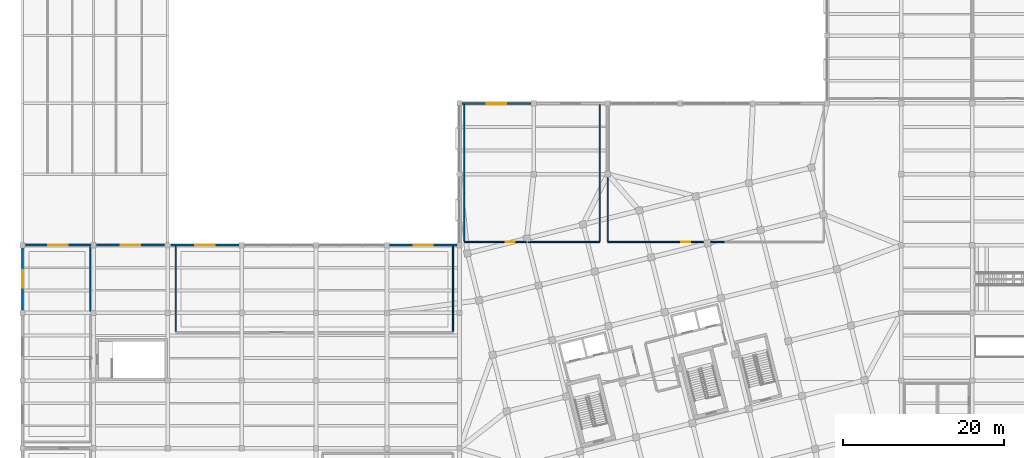
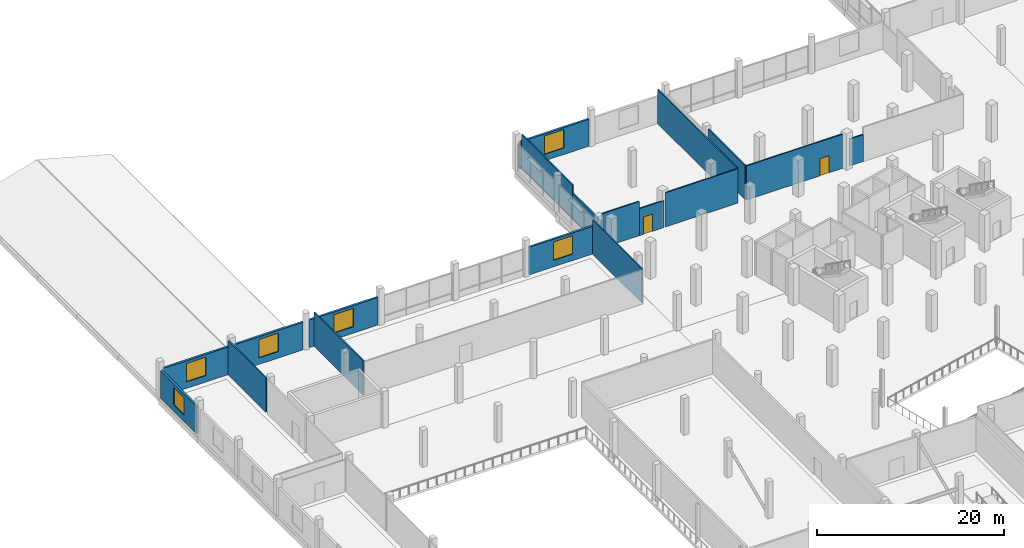
# One storey, part 60 of 71: 18 walls, 6 windows, 2 doors, 8 openings.
"""IFC4 building model written with IfcOpenShell, lengths in metres."""

from ifc_helpers import new_model, si_unit, direction, frame, frame_2d, origin, place, context, subcontext, project, spatial, rectangle, extrude, material, layer, layer_set, type_object, element, fill, save


model = new_model("IFC4")

# Units and contexts
model_context = context("Model", 3, precision=1e-05, world=origin(), true_north=direction((0.0, 1.0)))
body_context = subcontext(model_context, "Body", "Model", "MODEL_VIEW")
ifc_project = project(units=[si_unit("LENGTHUNIT", "METRE"), si_unit("AREAUNIT", "SQUARE_METRE"), si_unit("VOLUMEUNIT", "CUBIC_METRE"), si_unit("PLANEANGLEUNIT", "RADIAN"), si_unit("MASSUNIT", "GRAM", prefix="KILO")], contexts=[model_context])

# Site, building, storey
site_placement = place(None, origin())
site = spatial("IfcSite", under=ifc_project, at=site_placement, CompositionType="ELEMENT")
building_placement = place(site_placement, origin())
building = spatial("IfcBuilding", under=site, at=building_placement, Name="Meriwether Solvik Hall", CompositionType="ELEMENT")
storey_placement = place(building_placement, frame((0.0, 0.0, 5.10009765625)))
storey = spatial("IfcBuildingStorey", under=building, at=storey_placement, Name="L01", CompositionType="ELEMENT", Elevation=5.10009765625)

# Wall
ifc_material_1 = material(Name="Double-Layer Acoustic Gypsum Board", Category="gypsum")
ifc_layer_1 = layer(ifc_material_1, 0.1650390625)
ifc_layer_set_1 = layer_set([ifc_layer_1], Name="Double-Layer Acoustic Gypsum Board")
wall_type_1 = type_object("IfcWallType", Name="WALL-DEM-165", PredefinedType="PARTITIONING", material=ifc_layer_set_1)
wall_1_placement = place(storey_placement, frame((13.60009765625, 66.98046875, 0.0), z_axis=(0.0, 0.0, 1.0), x_axis=(0.0, 1.0, 0.0)))
element("IfcWall", 1, at=wall_1_placement, inside=storey, type_object=wall_type_1, Name="L01 Interior Partition music_adm_e_s3", PredefinedType="PARTITIONING", context=body_context, shape_type="SweptSolid", body=[
    extrude(rectangle(XDim=8.0390625, YDim=0.1650390625, at=frame_2d((4.01953125, 0.0))), origin(), (0.0, 0.0, 1.0), 4.469970703125),
])

# Wall, opening, window
ifc_material_2 = material(Name="Terracotta Cladding on Concrete C40/50", Category="masonry")
ifc_layer_2 = layer(ifc_material_2, 0.2548828125)
ifc_layer_set_2 = layer_set([ifc_layer_2], Name="Terracotta Cladding on Concrete C40/50")
wall_type_2 = type_object("IfcWallType", Name="WALL-EXT-255", PredefinedType="SOLIDWALL", material=ifc_layer_set_2)
wall_2_placement = place(storey_placement, frame((5.537109375, 75.199951171875, 0.0), z_axis=(0.0, 0.0, 1.0), x_axis=(1.0, 0.0, 0.0)))
wall_2 = element("IfcWall", 2, at=wall_2_placement, inside=storey, type_object=wall_type_2, Name="L01 N Wing Facade Wall XI_1_18", PredefinedType="SOLIDWALL", context=body_context, shape_type="SweptSolid", body=[
    extrude(rectangle(XDim=8.1259765625, YDim=0.2548828125, at=frame_2d((4.06298828125, 0.0))), origin(), (0.0, 0.0, 1.0), 3.60986328125),
])
opening_1_placement = place(wall_2_placement, frame((2.863037109375, 0.0, 0.85009765625)))
opening_1 = element("IfcOpeningElement", 3, at=opening_1_placement, cuts=wall_2, Name="Opening WN-105", PredefinedType="OPENING", context=body_context, shape_type="SweptSolid", body=[
    extrude(rectangle(XDim=2.39990234375, YDim=2.39990234375, at=frame_2d((1.199951171875, 1.199951171875))), frame((0.0, 0.139404296875, 0.0), z_axis=(0.0, -1.0, 0.0), x_axis=(1.0, 0.0, 0.0)), (0.0, 0.0, 1.0), 0.27880859375),
])
ifc_material_3 = material(Name="Thermally Broken Anodised Aluminium and Triple Low-E Glass", Category="aluminium")
window_type_1 = type_object("IfcWindowType", Name="WIN-POD-NORTH-240X240", PartitioningType="SINGLE_PANEL", PredefinedType="WINDOW", material=ifc_material_3)
window_1_placement = place(opening_1_placement, origin())
window_1 = element("IfcWindow", 4, at=window_1_placement, inside=storey, type_object=window_type_1, Name="L01 N Window XI_1_18", OverallHeight=2.39990234375, OverallWidth=2.39990234375, PartitioningType="SINGLE_PANEL", PredefinedType="WINDOW", context=body_context, shape_type="SweptSolid", body=[
    extrude(rectangle(XDim=2.39990234375, YDim=2.39990234375, at=frame_2d((1.199951171875, 1.199951171875))), frame((0.0, 0.030029296875, 0.0), z_axis=(0.0, -1.0, 0.0), x_axis=(1.0, 0.0, 0.0)), (0.0, 0.0, 1.0), 0.06005859375),
])
fill(opening_1, window_1)

wall_3_placement = place(storey_placement, frame((14.3369140625, 75.199951171875, 0.0), z_axis=(0.0, 0.0, 1.0), x_axis=(1.0, 0.0, 0.0)))
wall_3 = element("IfcWall", 5, at=wall_3_placement, inside=storey, type_object=wall_type_2, Name="L01 N Wing Facade Wall XI_2_19", PredefinedType="SOLIDWALL", context=body_context, shape_type="SweptSolid", body=[
    extrude(rectangle(XDim=8.47607421875, YDim=0.2548828125, at=frame_2d((4.238037109375, 0.0))), origin(), (0.0, 0.0, 1.0), 3.60986328125),
])
opening_2_placement = place(wall_3_placement, frame((3.0380859375, 0.0, 0.85009765625)))
opening_2 = element("IfcOpeningElement", 6, at=opening_2_placement, cuts=wall_3, Name="Opening WN-105", PredefinedType="OPENING", context=body_context, shape_type="SweptSolid", body=[
    extrude(rectangle(XDim=2.39990234375, YDim=2.39990234375, at=frame_2d((1.199951171875, 1.199951171875))), frame((0.0, 0.139404296875, 0.0), z_axis=(0.0, -1.0, 0.0), x_axis=(1.0, 0.0, 0.0)), (0.0, 0.0, 1.0), 0.27880859375),
])
window_2_placement = place(opening_2_placement, origin())
window_2 = element("IfcWindow", 7, at=window_2_placement, inside=storey, type_object=window_type_1, Name="L01 N Window XI_2_19", OverallHeight=2.39990234375, OverallWidth=2.39990234375, PartitioningType="SINGLE_PANEL", PredefinedType="WINDOW", context=body_context, shape_type="SweptSolid", body=[
    extrude(rectangle(XDim=2.39990234375, YDim=2.39990234375, at=frame_2d((1.199951171875, 1.199951171875))), frame((0.0, 0.030029296875, 0.0), z_axis=(0.0, -1.0, 0.0), x_axis=(1.0, 0.0, 0.0)), (0.0, 0.0, 1.0), 0.06005859375),
])
fill(opening_2, window_2)

wall_4_placement = place(storey_placement, frame((23.5869140625, 75.199951171875, 0.0), z_axis=(0.0, 0.0, 1.0), x_axis=(1.0, 0.0, 0.0)))
wall_4 = element("IfcWall", 8, at=wall_4_placement, inside=storey, type_object=wall_type_2, Name="L01 N Wing Facade Wall XI_3_20", PredefinedType="SOLIDWALL", context=body_context, shape_type="SweptSolid", body=[
    extrude(rectangle(XDim=8.47607421875, YDim=0.2548828125, at=frame_2d((4.238037109375, 0.0))), origin(), (0.0, 0.0, 1.0), 3.60986328125),
])
opening_3_placement = place(wall_4_placement, frame((3.0380859375, 0.0, 0.85009765625)))
opening_3 = element("IfcOpeningElement", 9, at=opening_3_placement, cuts=wall_4, Name="Opening WN-105", PredefinedType="OPENING", context=body_context, shape_type="SweptSolid", body=[
    extrude(rectangle(XDim=2.39990234375, YDim=2.39990234375, at=frame_2d((1.199951171875, 1.199951171875))), frame((0.0, 0.139404296875, 0.0), z_axis=(0.0, -1.0, 0.0), x_axis=(1.0, 0.0, 0.0)), (0.0, 0.0, 1.0), 0.27880859375),
])
window_3_placement = place(opening_3_placement, origin())
window_3 = element("IfcWindow", 10, at=window_3_placement, inside=storey, type_object=window_type_1, Name="L01 N Window XI_3_20", OverallHeight=2.39990234375, OverallWidth=2.39990234375, PartitioningType="SINGLE_PANEL", PredefinedType="WINDOW", context=body_context, shape_type="SweptSolid", body=[
    extrude(rectangle(XDim=2.39990234375, YDim=2.39990234375, at=frame_2d((1.199951171875, 1.199951171875))), frame((0.0, 0.030029296875, 0.0), z_axis=(0.0, -1.0, 0.0), x_axis=(1.0, 0.0, 0.0)), (0.0, 0.0, 1.0), 0.06005859375),
])
fill(opening_3, window_3)

wall_5_placement = place(storey_placement, frame((50.737060546875, 75.199951171875, 0.0), z_axis=(0.0, 0.0, 1.0), x_axis=(1.0, 0.0, 0.0)))
wall_5 = element("IfcWall", 11, at=wall_5_placement, inside=storey, type_object=wall_type_2, Name="L01 N Wing Facade Wall XI_6_23", PredefinedType="SOLIDWALL", context=body_context, shape_type="SweptSolid", body=[
    extrude(rectangle(XDim=8.325927734375, YDim=0.2548828125, at=frame_2d((4.1630859375, 0.0))), origin(), (0.0, 0.0, 1.0), 3.60986328125),
])
opening_4_placement = place(wall_5_placement, frame((2.962890625, 0.0, 0.85009765625)))
opening_4 = element("IfcOpeningElement", 12, at=opening_4_placement, cuts=wall_5, Name="Opening WN-105", PredefinedType="OPENING", context=body_context, shape_type="SweptSolid", body=[
    extrude(rectangle(XDim=2.39990234375, YDim=2.39990234375, at=frame_2d((1.199951171875, 1.199951171875))), frame((0.0, 0.139404296875, 0.0), z_axis=(0.0, -1.0, 0.0), x_axis=(1.0, 0.0, 0.0)), (0.0, 0.0, 1.0), 0.27880859375),
])
window_4_placement = place(opening_4_placement, origin())
window_4 = element("IfcWindow", 13, at=window_4_placement, inside=storey, type_object=window_type_1, Name="L01 N Window XI_6_23", OverallHeight=2.39990234375, OverallWidth=2.39990234375, PartitioningType="SINGLE_PANEL", PredefinedType="WINDOW", context=body_context, shape_type="SweptSolid", body=[
    extrude(rectangle(XDim=2.39990234375, YDim=2.39990234375, at=frame_2d((1.199951171875, 1.199951171875))), frame((0.0, 0.030029296875, 0.0), z_axis=(0.0, -1.0, 0.0), x_axis=(1.0, 0.0, 0.0)), (0.0, 0.0, 1.0), 0.06005859375),
])
fill(opening_4, window_4)

wall_6_placement = place(storey_placement, frame((59.737060546875, 92.800048828125, 0.0), z_axis=(0.0, 0.0, 1.0), x_axis=(1.0, 0.0, 0.0)))
wall_6 = element("IfcWall", 14, at=wall_6_placement, inside=storey, type_object=wall_type_2, Name="L01 N Wing Facade Wall XK_7_24", PredefinedType="SOLIDWALL", context=body_context, shape_type="SweptSolid", body=[
    extrude(rectangle(XDim=8.52587890625, YDim=0.2548828125, at=frame_2d((4.262939453125, 0.0))), origin(), (0.0, 0.0, 1.0), 3.52001953125),
])
opening_5_placement = place(wall_6_placement, frame((3.06298828125, 0.0, 0.85009765625)))
opening_5 = element("IfcOpeningElement", 15, at=opening_5_placement, cuts=wall_6, Name="Opening WN-105", PredefinedType="OPENING", context=body_context, shape_type="SweptSolid", body=[
    extrude(rectangle(XDim=2.39990234375, YDim=2.39990234375, at=frame_2d((1.199951171875, 1.199951171875))), frame((0.0, 0.139404296875, 0.0), z_axis=(0.0, -1.0, 0.0), x_axis=(1.0, 0.0, 0.0)), (0.0, 0.0, 1.0), 0.27880859375),
])
window_5_placement = place(opening_5_placement, origin())
window_5 = element("IfcWindow", 16, at=window_5_placement, inside=storey, type_object=window_type_1, Name="L01 N Window XK_7_24", OverallHeight=2.39990234375, OverallWidth=2.39990234375, PartitioningType="SINGLE_PANEL", PredefinedType="WINDOW", context=body_context, shape_type="SweptSolid", body=[
    extrude(rectangle(XDim=2.39990234375, YDim=2.39990234375, at=frame_2d((1.199951171875, 1.199951171875))), frame((0.0, 0.030029296875, 0.0), z_axis=(0.0, -1.0, 0.0), x_axis=(1.0, 0.0, 0.0)), (0.0, 0.0, 1.0), 0.06005859375),
])
fill(opening_5, window_5)

wall_7_placement = place(storey_placement, frame((5.199951171875, 67.136962890625, 0.0), z_axis=(0.0, 0.0, 1.0), x_axis=(0.0, 1.0, 0.0)))
wall_7 = element("IfcWall", 17, at=wall_7_placement, inside=storey, type_object=wall_type_2, Name="L01 W Wing Facade Wall Y1_8_43", PredefinedType="SOLIDWALL", context=body_context, shape_type="SweptSolid", body=[
    extrude(rectangle(XDim=7.72607421875, YDim=0.2548828125, at=frame_2d((3.863037109375, 0.0))), origin(), (0.0, 0.0, 1.0), 3.60986328125),
])
opening_6_placement = place(wall_7_placement, frame((2.762939453125, 0.0, 0.85009765625)))
opening_6 = element("IfcOpeningElement", 18, at=opening_6_placement, cuts=wall_7, Name="Opening WN-175", PredefinedType="OPENING", context=body_context, shape_type="SweptSolid", body=[
    extrude(rectangle(XDim=2.199951171875, YDim=2.300048828125, at=frame_2d((1.10009765625, 1.14990234375))), frame((0.0, 0.139404296875, 0.0), z_axis=(0.0, -1.0, 0.0), x_axis=(1.0, 0.0, 0.0)), (0.0, 0.0, 1.0), 0.27880859375),
])
ifc_material_4 = material(Name="Thermally Broken Anodised Aluminium and Triple Low-E Glass", Category="aluminium")
window_type_2 = type_object("IfcWindowType", Name="WIN-POD-WEST-220X230", PartitioningType="SINGLE_PANEL", PredefinedType="WINDOW", material=ifc_material_4)
window_6_placement = place(opening_6_placement, origin())
window_6 = element("IfcWindow", 19, at=window_6_placement, inside=storey, type_object=window_type_2, Name="L01 W Window Y1_8_43", OverallHeight=2.300048828125, OverallWidth=2.199951171875, PartitioningType="SINGLE_PANEL", PredefinedType="WINDOW", context=body_context, shape_type="SweptSolid", body=[
    extrude(rectangle(XDim=2.199951171875, YDim=2.300048828125, at=frame_2d((1.10009765625, 1.14990234375))), frame((0.0, 0.030029296875, 0.0), z_axis=(0.0, -1.0, 0.0), x_axis=(1.0, 0.0, 0.0)), (0.0, 0.0, 1.0), 0.06005859375),
])
fill(opening_6, window_6)

# Walls
ifc_material_5 = material(Name="Gypsum Board Partition", Category="gypsum")
ifc_layer_3 = layer(ifc_material_5, 0.14990234375)
ifc_layer_set_3 = layer_set([ifc_layer_3], Name="Gypsum Board Partition")
wall_type_3 = type_object("IfcWallType", Name="WALL-PART-150", PredefinedType="PARTITIONING", material=ifc_layer_set_3)
for number, where, z_axis, x_axis, name in (
    (20, (58.60009765625, 64.52001953125, 0.0), (0.0, 0.0, 1.0), (0.0, 1.0, 0.0), "L01 Interior Partition nw_craft_e"),
    (21, (24.199951171875, 75.050048828125, 0.0), (0.0, 0.0, 1.0), (0.0, -1.0, 0.0), "L01 Interior Partition nw_craft_w"),
):
    element("IfcWall", number, at=place(storey_placement, frame(where, z_axis=z_axis, x_axis=x_axis)), inside=storey, type_object=wall_type_3, Name=name, PredefinedType="PARTITIONING", context=body_context, shape_type="SweptSolid", body=[
        extrude(rectangle(XDim=10.530029296875, YDim=0.14990234375, at=frame_2d((5.26513671875, 0.0))), origin(), (0.0, 0.0, 1.0), 4.469970703125),
    ])
wall_8_placement = place(storey_placement, frame((60.0, 75.60009765625, 0.0), z_axis=(0.0, 0.0, 1.0), x_axis=(1.0, 0.0, 0.0)))
element("IfcWall", 22, at=wall_8_placement, inside=storey, type_object=wall_type_3, Name="L01 Interior Partition cls_101_s", PredefinedType="PARTITIONING", context=body_context, shape_type="SweptSolid", body=[
    extrude(rectangle(XDim=4.592041015625, YDim=0.14990234375, at=frame_2d((2.2958984375, 0.0))), origin(), (0.0, 0.0, 1.0), 4.469970703125),
])

# Wall, opening, door
wall_9_placement = place(storey_placement, frame((64.592041015625, 75.60009765625, 0.0), z_axis=(0.0, 0.0, 1.0), x_axis=(1.0, 0.0, 0.0)))
wall_9 = element("IfcWall", 23, at=wall_9_placement, inside=storey, type_object=wall_type_3, Name="L01 Interior Partition cls_101_s_s2", PredefinedType="PARTITIONING", context=body_context, shape_type="SweptSolid", body=[
    extrude(rectangle(XDim=3.0615234375, YDim=0.14990234375, at=frame_2d((1.53076171875, 0.0))), origin(), (0.0, 0.0, 1.0), 3.52001953125),
])
opening_7_placement = place(wall_9_placement, frame((0.533935546875, 0.0, 0.0)))
opening_7 = element("IfcOpeningElement", 24, at=opening_7_placement, cuts=wall_9, Name="Opening D-134", PredefinedType="OPENING", context=body_context, shape_type="SweptSolid", body=[
    extrude(rectangle(XDim=1.10009765625, YDim=2.25, at=frame_2d((0.550048828125, 1.125))), frame((0.0, 0.0869140625, 0.0), z_axis=(0.0, -1.0, 0.0), x_axis=(1.0, 0.0, 0.0)), (0.0, 0.0, 1.0), 0.173828125),
])
ifc_material_6 = material(Name="Laminated Vision Glass and Solid White Oak Timber", Category="wood")
door_type = type_object("IfcDoorType", Name="DR-CLS-1100L", OperationType="SINGLE_SWING_LEFT", PredefinedType="DOOR", material=ifc_material_6)
door_1_placement = place(opening_7_placement, origin())
door_1 = element("IfcDoor", 25, at=door_1_placement, inside=storey, type_object=door_type, Name="Classroom 101 Door", OperationType="SINGLE_SWING_LEFT", OverallHeight=2.25, OverallWidth=1.10009765625, PredefinedType="DOOR", context=body_context, shape_type="SweptSolid", body=[
    extrude(rectangle(XDim=1.10009765625, YDim=2.25, at=frame_2d((0.550048828125, 1.125))), frame((0.0, 0.02490234375, 0.0), z_axis=(0.0, -1.0, 0.0), x_axis=(1.0, 0.0, 0.0)), (0.0, 0.0, 1.0), 0.050048828125),
])
fill(opening_7, door_1)

# Walls
wall_10_placement = place(storey_placement, frame((67.84423828125, 75.60009765625, 0.0), z_axis=(0.0, 0.0, 1.0), x_axis=(1.0, 0.0, 0.0)))
element("IfcWall", 26, at=wall_10_placement, inside=storey, type_object=wall_type_3, Name="L01 Interior Partition cls_101_s_s3", PredefinedType="PARTITIONING", context=body_context, shape_type="SweptSolid", body=[
    extrude(rectangle(XDim=8.955810546875, YDim=0.14990234375, at=frame_2d((4.47802734375, 0.0))), origin(), (0.0, 0.0, 1.0), 4.469970703125),
])
wall_11_placement = place(storey_placement, frame((76.800048828125, 75.719970703125, 0.0), z_axis=(0.0, 0.0, 1.0), x_axis=(0.0, 1.0, 0.0)))
element("IfcWall", 27, at=wall_11_placement, inside=storey, type_object=wall_type_3, Name="L01 Interior Partition cls_101_e", PredefinedType="PARTITIONING", context=body_context, shape_type="SweptSolid", body=[
    extrude(rectangle(XDim=16.929931640625, YDim=0.14990234375, at=frame_2d((8.46484375, 0.0))), origin(), (0.0, 0.0, 1.0), 4.469970703125),
])
wall_12_placement = place(storey_placement, frame((60.0, 92.64990234375, 0.0), z_axis=(0.0, 0.0, 1.0), x_axis=(0.0, -1.0, 0.0)))
element("IfcWall", 28, at=wall_12_placement, inside=storey, type_object=wall_type_3, Name="L01 Interior Partition cls_101_w", PredefinedType="PARTITIONING", context=body_context, shape_type="SweptSolid", body=[
    extrude(rectangle(XDim=10.899658203125, YDim=0.14990234375, at=frame_2d((5.44970703125, 0.0))), origin(), (0.0, 0.0, 1.0), 4.469970703125),
])
wall_13_placement = place(storey_placement, frame((60.0, 81.750244140625, 0.0), z_axis=(0.0, 0.0, 1.0), x_axis=(0.0, -1.0, 0.0)))
element("IfcWall", 29, at=wall_13_placement, inside=storey, type_object=wall_type_3, Name="L01 Interior Partition cls_101_w_s2", PredefinedType="PARTITIONING", context=body_context, shape_type="SweptSolid", body=[
    extrude(rectangle(XDim=6.0302734375, YDim=0.14990234375, at=frame_2d((3.01513671875, 0.0))), origin(), (0.0, 0.0, 1.0), 3.419921875),
])

# Wall, opening, door
wall_14_placement = place(storey_placement, frame((77.800048828125, 75.60009765625, 0.0), z_axis=(0.0, 0.0, 1.0), x_axis=(1.0, 0.0, 0.0)))
wall_14 = element("IfcWall", 30, at=wall_14_placement, inside=storey, type_object=wall_type_3, Name="L01 Interior Partition cls_102_s", PredefinedType="PARTITIONING", context=body_context, shape_type="SweptSolid", body=[
    extrude(rectangle(XDim=11.9521484375, YDim=0.14990234375, at=frame_2d((5.97607421875, 0.0))), origin(), (0.0, 0.0, 1.0), 4.469970703125),
])
opening_8_placement = place(wall_14_placement, frame((9.1162109375, 0.0, 0.0)))
opening_8 = element("IfcOpeningElement", 31, at=opening_8_placement, cuts=wall_14, Name="Opening D-134", PredefinedType="OPENING", context=body_context, shape_type="SweptSolid", body=[
    extrude(rectangle(XDim=1.10009765625, YDim=2.25, at=frame_2d((0.550048828125, 1.125))), frame((0.0, 0.0869140625, 0.0), z_axis=(0.0, -1.0, 0.0), x_axis=(1.0, 0.0, 0.0)), (0.0, 0.0, 1.0), 0.173828125),
])
door_2_placement = place(opening_8_placement, origin())
door_2 = element("IfcDoor", 32, at=door_2_placement, inside=storey, type_object=door_type, Name="Faculty Curriculum and Advising Office Door", OperationType="SINGLE_SWING_LEFT", OverallHeight=2.25, OverallWidth=1.10009765625, PredefinedType="DOOR", context=body_context, shape_type="SweptSolid", body=[
    extrude(rectangle(XDim=1.10009765625, YDim=2.25, at=frame_2d((0.550048828125, 1.125))), frame((0.0, 0.02490234375, 0.0), z_axis=(0.0, -1.0, 0.0), x_axis=(1.0, 0.0, 0.0)), (0.0, 0.0, 1.0), 0.050048828125),
])
fill(opening_8, door_2)

# Walls
wall_15_placement = place(storey_placement, frame((90.565673828125, 75.60009765625, 0.0), z_axis=(0.0, 0.0, 1.0), x_axis=(1.0, 0.0, 0.0)))
element("IfcWall", 33, at=wall_15_placement, inside=storey, type_object=wall_type_3, Name="L01 Interior Partition cls_102_s_s2", PredefinedType="PARTITIONING", context=body_context, shape_type="SweptSolid", body=[
    extrude(rectangle(XDim=1.702880859375, YDim=0.14990234375, at=frame_2d((0.8515625, 0.0))), origin(), (0.0, 0.0, 1.0), 3.52001953125),
])
wall_16_placement = place(storey_placement, frame((77.800048828125, 83.56005859375, 0.0), z_axis=(0.0, 0.0, 1.0), x_axis=(0.0, -1.0, 0.0)))
element("IfcWall", 34, at=wall_16_placement, inside=storey, type_object=wall_type_3, Name="L01 Interior Partition cls_102_w_s2", PredefinedType="PARTITIONING", context=body_context, shape_type="SweptSolid", body=[
    extrude(rectangle(XDim=7.840087890625, YDim=0.14990234375, at=frame_2d((3.919921875, 0.0))), origin(), (0.0, 0.0, 1.0), 4.469970703125),
])

save(model, "model.ifc")
